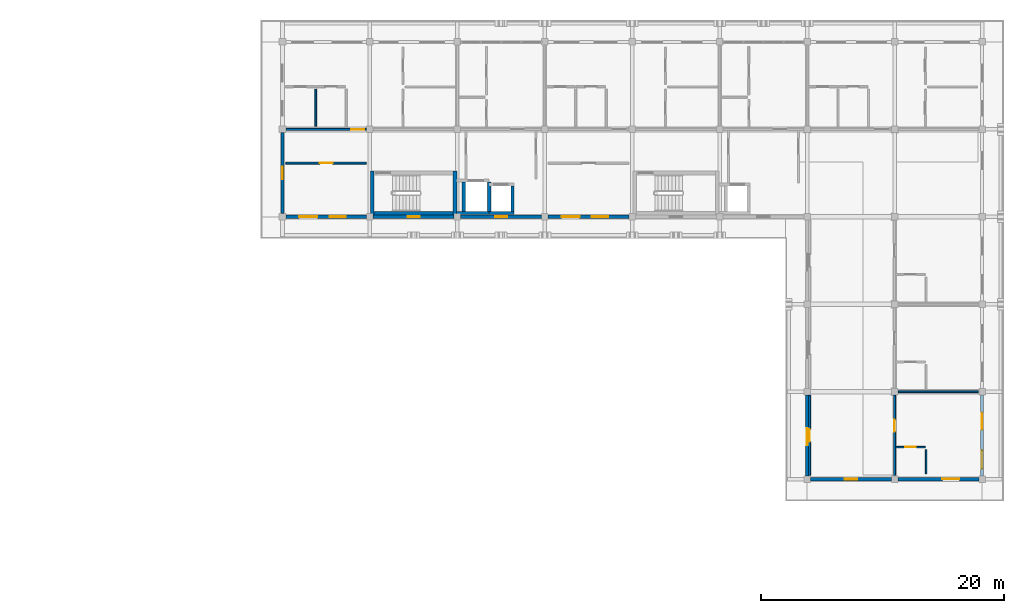
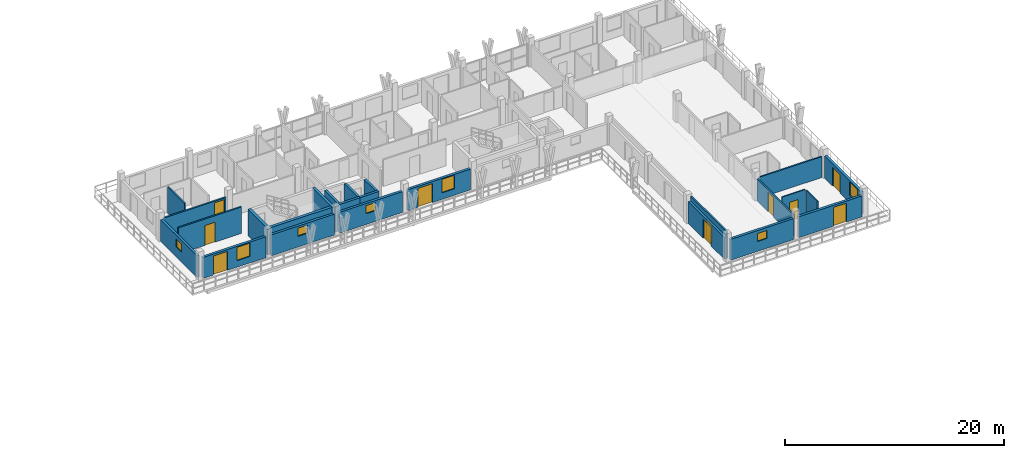
# One storey, part 48 of 65: 25 walls, 10 doors, 7 windows, 17 openings.
"""IFC4 building model written with IfcOpenShell, lengths in metres."""

from ifc_helpers import new_model, si_unit, direction, frame, frame_2d, origin, place, context, subcontext, project, spatial, rectangle, extrude, material, layer, layer_set, type_object, element, fill, save


model = new_model("IFC4")

# Units and contexts
model_context = context("Model", 3, precision=1e-05, world=origin(), true_north=direction((0.0, 1.0)))
body_context = subcontext(model_context, "Body", "Model", "MODEL_VIEW")
ifc_project = project(units=[si_unit("LENGTHUNIT", "METRE"), si_unit("AREAUNIT", "SQUARE_METRE"), si_unit("VOLUMEUNIT", "CUBIC_METRE"), si_unit("PLANEANGLEUNIT", "RADIAN"), si_unit("MASSUNIT", "GRAM", prefix="KILO")], contexts=[model_context])

# Site, building, storey
site_placement = place(None, origin())
site = spatial("IfcSite", under=ifc_project, at=site_placement, CompositionType="ELEMENT")
building_placement = place(site_placement, origin())
building = spatial("IfcBuilding", under=site, at=building_placement, Name="Suanplinth Sawtooth Commons", CompositionType="ELEMENT")
storey_placement = place(building_placement, frame((0.0, 0.0, 28.300048828125)))
storey = spatial("IfcBuildingStorey", under=building, at=storey_placement, Name="L08", CompositionType="ELEMENT", Elevation=28.300048828125)

# Walls
ifc_material_1 = material(Name="Concrete C40/50", Category="concrete")
ifc_layer_1 = layer(ifc_material_1, 0.300048828125, Name="Standard RC stair and lift core wall 300mm")
ifc_layer_set_1 = layer_set([ifc_layer_1], Name="Concrete C40/50")
wall_type_1 = type_object("IfcWallType", Name="W-CR02", PredefinedType="SHEAR", material=ifc_layer_set_1)
wall_1_placement = place(storey_placement, frame((137.14990234375, 108.300048828125, 0.0), z_axis=(0.0, 0.0, 1.0), x_axis=(1.0, 0.0, 0.0)))
element("IfcWall", 1, at=wall_1_placement, inside=storey, type_object=wall_type_1, Name="W-L08-C-B1-STS", PredefinedType="SHEAR", context=body_context, shape_type="SweptSolid", body=[
    extrude(rectangle(XDim=6.5, YDim=0.300048828125, at=frame_2d((3.25, 0.0))), origin(), (0.0, 0.0, 1.0), 2.949951171875),
])
for number, where, z_axis, x_axis, name in (
    (2, (137.0, 108.14990234375, 0.0), (0.0, 0.0, 1.0), (0.0, 1.0, 0.0), "W-L08-C-B1-STW"),
    (3, (143.800048828125, 108.14990234375, 0.0), (0.0, 0.0, 1.0), (0.0, 1.0, 0.0), "W-L08-C-B1-STE"),
):
    element("IfcWall", number, at=place(storey_placement, frame(where, z_axis=z_axis, x_axis=x_axis)), inside=storey, type_object=wall_type_1, Name=name, PredefinedType="SHEAR", context=body_context, shape_type="SweptSolid", body=[
        extrude(rectangle(XDim=3.60009765625, YDim=0.300048828125, at=frame_2d((1.800048828125, 0.0))), origin(), (0.0, 0.0, 1.0), 2.949951171875),
    ])

# Wall, openings, door, window
ifc_material_2 = material(Name="Precast concrete C40/50", Category="concrete")
ifc_layer_2 = layer(ifc_material_2, 0.260009765625, Name="Insulated precast courtyard facade wall 260mm")
ifc_layer_set_2 = layer_set([ifc_layer_2], Name="Precast concrete C40/50")
wall_type_2 = type_object("IfcWallType", Name="W-EX02", PredefinedType="ELEMENTEDWALL", material=ifc_layer_set_2)
wall_2_placement = place(storey_placement, frame((129.875, 108.0, 0.0), z_axis=(0.0, 0.0, 1.0), x_axis=(1.0, 0.0, 0.0)))
wall_2 = element("IfcWall", 4, at=wall_2_placement, inside=storey, type_object=wall_type_2, Name="Facade Wall W-L08-B-S-18-15", PredefinedType="ELEMENTEDWALL", context=body_context, shape_type="SweptSolid", body=[
    extrude(rectangle(XDim=6.64990234375, YDim=0.260009765625, at=frame_2d((3.324951171875, 0.0))), origin(), (0.0, 0.0, 1.0), 2.3349609375),
])
opening_1_placement = place(wall_2_placement, frame((1.10009765625, 0.0, 0.0)))
opening_1 = element("IfcOpeningElement", 5, at=opening_1_placement, cuts=wall_2, Name="Opening ED0642", PredefinedType="OPENING", context=body_context, shape_type="SweptSolid", body=[
    extrude(rectangle(XDim=1.5, YDim=2.1201171875, at=frame_2d((0.75, 1.06005859375))), frame((0.0, 0.14501953125, 0.0), z_axis=(0.0, -1.0, 0.0), x_axis=(1.0, 0.0, 0.0)), (0.0, 0.0, 1.0), 0.289794921875),
])
opening_2_placement = place(wall_2_placement, frame((3.60009765625, 0.0, 0.72509765625)))
opening_2 = element("IfcOpeningElement", 6, at=opening_2_placement, cuts=wall_2, Name="Opening W0721", PredefinedType="OPENING", context=body_context, shape_type="SweptSolid", body=[
    extrude(rectangle(XDim=1.35009765625, YDim=1.5, at=frame_2d((0.675048828125, 0.75))), frame((0.0, 0.14501953125, 0.0), z_axis=(0.0, -1.0, 0.0), x_axis=(1.0, 0.0, 0.0)), (0.0, 0.0, 1.0), 0.289794921875),
])
ifc_material_3 = material(Name="Anodized aluminium and low-E glass", Category="aluminium")
door_type_1 = type_object("IfcDoorType", Name="SD-03", OperationType="SLIDING_TO_LEFT", PredefinedType="DOOR", material=ifc_material_3)
door_1_placement = place(opening_1_placement, frame((1.5, 0.0, 0.0), z_axis=(0.0, 0.0, 1.0), x_axis=(-1.0, 0.0, 0.0)))
door_1 = element("IfcDoor", 7, at=door_1_placement, inside=storey, type_object=door_type_1, Name="Courtyard Balcony Door L08-B-18", OperationType="SLIDING_TO_LEFT", OverallHeight=2.1201171875, OverallWidth=1.5, PredefinedType="DOOR", context=body_context, shape_type="SweptSolid", body=[
    extrude(rectangle(XDim=1.5, YDim=2.1201171875, at=frame_2d((0.75, 1.06005859375))), frame((0.0, 0.02490234375, 0.0), z_axis=(0.0, -1.0, 0.0), x_axis=(1.0, 0.0, 0.0)), (0.0, 0.0, 1.0), 0.050048828125),
])
fill(opening_1, door_1)
ifc_material_4 = material(Name="Thermally broken aluminium and low-E double glazing", Category="aluminium")
window_type_1 = type_object("IfcWindowType", Name="WN-14", PartitioningType="SINGLE_PANEL", PredefinedType="WINDOW", material=ifc_material_4)
window_1_placement = place(opening_2_placement, origin())
window_1 = element("IfcWindow", 8, at=window_1_placement, inside=storey, type_object=window_type_1, Name="Courtyard Window L08-B-18", OverallHeight=1.5, OverallWidth=1.35009765625, PartitioningType="SINGLE_PANEL", PredefinedType="WINDOW", context=body_context, shape_type="SweptSolid", body=[
    extrude(rectangle(XDim=1.35009765625, YDim=1.5, at=frame_2d((0.675048828125, 0.75))), frame((0.0, 0.030029296875, 0.0), z_axis=(0.0, -1.0, 0.0), x_axis=(1.0, 0.0, 0.0)), (0.0, 0.0, 1.0), 0.06005859375),
])
fill(opening_2, window_1)

# Wall, opening, window
wall_3_placement = place(storey_placement, frame((129.60009765625, 108.27490234375, 0.0), z_axis=(0.0, 0.0, 1.0), x_axis=(0.0, 1.0, 0.0)))
wall_3 = element("IfcWall", 9, at=wall_3_placement, inside=storey, type_object=wall_type_2, Name="Facade Wall W-L08-B-W-18-15", PredefinedType="ELEMENTEDWALL", context=body_context, shape_type="SweptSolid", body=[
    extrude(rectangle(XDim=6.650146484375, YDim=0.260009765625, at=frame_2d((3.3251953125, 0.0))), origin(), (0.0, 0.0, 1.0), 2.43505859375),
])
opening_3_placement = place(wall_3_placement, frame((2.824951171875, 0.0, 1.10009765625)))
opening_3 = element("IfcOpeningElement", 10, at=opening_3_placement, cuts=wall_3, Name="Opening W0722", PredefinedType="OPENING", context=body_context, shape_type="SweptSolid", body=[
    extrude(rectangle(XDim=1.0, YDim=0.89990234375, at=frame_2d((0.5, 0.449951171875))), frame((0.0, 0.14501953125, 0.0), z_axis=(0.0, -1.0, 0.0), x_axis=(1.0, 0.0, 0.0)), (0.0, 0.0, 1.0), 0.289794921875),
])
window_type_2 = type_object("IfcWindowType", Name="WN-12", PartitioningType="SINGLE_PANEL", PredefinedType="WINDOW", material=ifc_material_4)
window_2_placement = place(opening_3_placement, origin())
window_2 = element("IfcWindow", 11, at=window_2_placement, inside=storey, type_object=window_type_2, Name="End Window L08-B-W-18-15", OverallHeight=0.89990234375, OverallWidth=1.0, PartitioningType="SINGLE_PANEL", PredefinedType="WINDOW", context=body_context, shape_type="SweptSolid", body=[
    extrude(rectangle(XDim=1.0, YDim=0.89990234375, at=frame_2d((0.5, 0.449951171875))), frame((0.0, 0.030029296875, 0.0), z_axis=(0.0, -1.0, 0.0), x_axis=(1.0, 0.0, 0.0)), (0.0, 0.0, 1.0), 0.06005859375),
])
fill(opening_3, window_2)

wall_4_placement = place(storey_placement, frame((137.074951171875, 108.0, 0.0), z_axis=(0.0, 0.0, 1.0), x_axis=(1.0, 0.0, 0.0)))
wall_4 = element("IfcWall", 12, at=wall_4_placement, inside=storey, type_object=wall_type_2, Name="Facade Wall W-L08-B-S-19-15", PredefinedType="ELEMENTEDWALL", context=body_context, shape_type="SweptSolid", body=[
    extrude(rectangle(XDim=6.650146484375, YDim=0.260009765625, at=frame_2d((3.3251953125, 0.0))), origin(), (0.0, 0.0, 1.0), 2.3349609375),
])
opening_4_placement = place(wall_4_placement, frame((2.824951171875, 0.0, 1.199951171875)))
opening_4 = element("IfcOpeningElement", 13, at=opening_4_placement, cuts=wall_4, Name="Opening W0725", PredefinedType="OPENING", context=body_context, shape_type="SweptSolid", body=[
    extrude(rectangle(XDim=1.0, YDim=0.89990234375, at=frame_2d((0.5, 0.449951171875))), frame((0.0, 0.14501953125, 0.0), z_axis=(0.0, -1.0, 0.0), x_axis=(1.0, 0.0, 0.0)), (0.0, 0.0, 1.0), 0.289794921875),
])
window_3_placement = place(opening_4_placement, origin())
window_3 = element("IfcWindow", 14, at=window_3_placement, inside=storey, type_object=window_type_2, Name="Core Daylight Window L08-B-19-15", OverallHeight=0.89990234375, OverallWidth=1.0, PartitioningType="SINGLE_PANEL", PredefinedType="WINDOW", context=body_context, shape_type="SweptSolid", body=[
    extrude(rectangle(XDim=1.0, YDim=0.89990234375, at=frame_2d((0.5, 0.449951171875))), frame((0.0, 0.030029296875, 0.0), z_axis=(0.0, -1.0, 0.0), x_axis=(1.0, 0.0, 0.0)), (0.0, 0.0, 1.0), 0.06005859375),
])
fill(opening_4, window_3)

wall_5_placement = place(storey_placement, frame((144.27490234375, 108.0, 0.0), z_axis=(0.0, 0.0, 1.0), x_axis=(1.0, 0.0, 0.0)))
wall_5 = element("IfcWall", 15, at=wall_5_placement, inside=storey, type_object=wall_type_2, Name="Facade Wall W-L08-B-S-20-15", PredefinedType="ELEMENTEDWALL", context=body_context, shape_type="SweptSolid", body=[
    extrude(rectangle(XDim=6.650146484375, YDim=0.260009765625, at=frame_2d((3.3251953125, 0.0))), origin(), (0.0, 0.0, 1.0), 2.3349609375),
])
opening_5_placement = place(wall_5_placement, frame((2.824951171875, 0.0, 1.199951171875)))
opening_5 = element("IfcOpeningElement", 16, at=opening_5_placement, cuts=wall_5, Name="Opening W0727", PredefinedType="OPENING", context=body_context, shape_type="SweptSolid", body=[
    extrude(rectangle(XDim=1.0, YDim=0.89990234375, at=frame_2d((0.5, 0.449951171875))), frame((0.0, 0.14501953125, 0.0), z_axis=(0.0, -1.0, 0.0), x_axis=(1.0, 0.0, 0.0)), (0.0, 0.0, 1.0), 0.289794921875),
])
window_4_placement = place(opening_5_placement, origin())
window_4 = element("IfcWindow", 17, at=window_4_placement, inside=storey, type_object=window_type_2, Name="Core Daylight Window L08-B-20-15", OverallHeight=0.89990234375, OverallWidth=1.0, PartitioningType="SINGLE_PANEL", PredefinedType="WINDOW", context=body_context, shape_type="SweptSolid", body=[
    extrude(rectangle(XDim=1.0, YDim=0.89990234375, at=frame_2d((0.5, 0.449951171875))), frame((0.0, 0.030029296875, 0.0), z_axis=(0.0, -1.0, 0.0), x_axis=(1.0, 0.0, 0.0)), (0.0, 0.0, 1.0), 0.06005859375),
])
fill(opening_5, window_4)

# Wall, openings, door, window
wall_6_placement = place(storey_placement, frame((151.47509765625, 108.0, 0.0), z_axis=(0.0, 0.0, 1.0), x_axis=(1.0, 0.0, 0.0)))
wall_6 = element("IfcWall", 18, at=wall_6_placement, inside=storey, type_object=wall_type_2, Name="Facade Wall W-L08-B-S-21-15", PredefinedType="ELEMENTEDWALL", context=body_context, shape_type="SweptSolid", body=[
    extrude(rectangle(XDim=6.64990234375, YDim=0.260009765625, at=frame_2d((3.324951171875, 0.0))), origin(), (0.0, 0.0, 1.0), 2.3349609375),
])
opening_6_placement = place(wall_6_placement, frame((1.10009765625, 0.0, 0.0)))
opening_6 = element("IfcOpeningElement", 19, at=opening_6_placement, cuts=wall_6, Name="Opening ED0646", PredefinedType="OPENING", context=body_context, shape_type="SweptSolid", body=[
    extrude(rectangle(XDim=1.5, YDim=2.1201171875, at=frame_2d((0.75, 1.06005859375))), frame((0.0, 0.14501953125, 0.0), z_axis=(0.0, -1.0, 0.0), x_axis=(1.0, 0.0, 0.0)), (0.0, 0.0, 1.0), 0.289794921875),
])
opening_7_placement = place(wall_6_placement, frame((3.60009765625, 0.0, 0.72509765625)))
opening_7 = element("IfcOpeningElement", 20, at=opening_7_placement, cuts=wall_6, Name="Opening W0728", PredefinedType="OPENING", context=body_context, shape_type="SweptSolid", body=[
    extrude(rectangle(XDim=1.35009765625, YDim=1.5, at=frame_2d((0.675048828125, 0.75))), frame((0.0, 0.14501953125, 0.0), z_axis=(0.0, -1.0, 0.0), x_axis=(1.0, 0.0, 0.0)), (0.0, 0.0, 1.0), 0.289794921875),
])
door_2_placement = place(opening_6_placement, frame((1.5, 0.0, 0.0), z_axis=(0.0, 0.0, 1.0), x_axis=(-1.0, 0.0, 0.0)))
door_2 = element("IfcDoor", 21, at=door_2_placement, inside=storey, type_object=door_type_1, Name="Courtyard Balcony Door L08-B-21", OperationType="SLIDING_TO_LEFT", OverallHeight=2.1201171875, OverallWidth=1.5, PredefinedType="DOOR", context=body_context, shape_type="SweptSolid", body=[
    extrude(rectangle(XDim=1.5, YDim=2.1201171875, at=frame_2d((0.75, 1.06005859375))), frame((0.0, 0.02490234375, 0.0), z_axis=(0.0, -1.0, 0.0), x_axis=(1.0, 0.0, 0.0)), (0.0, 0.0, 1.0), 0.050048828125),
])
fill(opening_6, door_2)
window_5_placement = place(opening_7_placement, origin())
window_5 = element("IfcWindow", 22, at=window_5_placement, inside=storey, type_object=window_type_1, Name="Courtyard Window L08-B-21", OverallHeight=1.5, OverallWidth=1.35009765625, PartitioningType="SINGLE_PANEL", PredefinedType="WINDOW", context=body_context, shape_type="SweptSolid", body=[
    extrude(rectangle(XDim=1.35009765625, YDim=1.5, at=frame_2d((0.675048828125, 0.75))), frame((0.0, 0.030029296875, 0.0), z_axis=(0.0, -1.0, 0.0), x_axis=(1.0, 0.0, 0.0)), (0.0, 0.0, 1.0), 0.06005859375),
])
fill(opening_7, window_5)

# Wall, opening, window
wall_7_placement = place(storey_placement, frame((173.074951171875, 86.39990234375, 0.0), z_axis=(0.0, 0.0, 1.0), x_axis=(1.0, 0.0, 0.0)))
wall_7 = element("IfcWall", 23, at=wall_7_placement, inside=storey, type_object=wall_type_2, Name="Facade Wall W-L08-B-S-24-12", PredefinedType="ELEMENTEDWALL", context=body_context, shape_type="SweptSolid", body=[
    extrude(rectangle(XDim=6.650146484375, YDim=0.260009765625, at=frame_2d((3.3251953125, 0.0))), origin(), (0.0, 0.0, 1.0), 2.3349609375),
])
opening_8_placement = place(wall_7_placement, frame((2.824951171875, 0.0, 1.10009765625)))
opening_8 = element("IfcOpeningElement", 24, at=opening_8_placement, cuts=wall_7, Name="Opening W0733", PredefinedType="OPENING", context=body_context, shape_type="SweptSolid", body=[
    extrude(rectangle(XDim=1.0, YDim=0.89990234375, at=frame_2d((0.5, 0.449951171875))), frame((0.0, 0.14501953125, 0.0), z_axis=(0.0, -1.0, 0.0), x_axis=(1.0, 0.0, 0.0)), (0.0, 0.0, 1.0), 0.289794921875),
])
window_6_placement = place(opening_8_placement, origin())
window_6 = element("IfcWindow", 25, at=window_6_placement, inside=storey, type_object=window_type_2, Name="End Window L08-B-S-24-12", OverallHeight=0.89990234375, OverallWidth=1.0, PartitioningType="SINGLE_PANEL", PredefinedType="WINDOW", context=body_context, shape_type="SweptSolid", body=[
    extrude(rectangle(XDim=1.0, YDim=0.89990234375, at=frame_2d((0.5, 0.449951171875))), frame((0.0, 0.030029296875, 0.0), z_axis=(0.0, -1.0, 0.0), x_axis=(1.0, 0.0, 0.0)), (0.0, 0.0, 1.0), 0.06005859375),
])
fill(opening_8, window_6)

# Wall, opening, door
wall_8_placement = place(storey_placement, frame((172.800048828125, 86.675048828125, 0.0), z_axis=(0.0, 0.0, 1.0), x_axis=(0.0, 1.0, 0.0)))
wall_8 = element("IfcWall", 26, at=wall_8_placement, inside=storey, type_object=wall_type_2, Name="Facade Wall W-L08-B-W-24-12", PredefinedType="ELEMENTEDWALL", context=body_context, shape_type="SweptSolid", body=[
    extrude(rectangle(XDim=6.64990234375, YDim=0.260009765625, at=frame_2d((3.324951171875, 0.0))), origin(), (0.0, 0.0, 1.0), 2.43505859375),
])
opening_9_placement = place(wall_8_placement, frame((2.5, 0.0, 0.0)))
opening_9 = element("IfcOpeningElement", 27, at=opening_9_placement, cuts=wall_8, Name="Opening ED0649", PredefinedType="OPENING", context=body_context, shape_type="SweptSolid", body=[
    extrude(rectangle(XDim=1.39990234375, YDim=2.10009765625, at=frame_2d((0.699951171875, 1.050048828125))), frame((0.0, 0.14501953125, 0.0), z_axis=(0.0, -1.0, 0.0), x_axis=(1.0, 0.0, 0.0)), (0.0, 0.0, 1.0), 0.289794921875),
])
door_type_2 = type_object("IfcDoorType", Name="SD-07", OperationType="SLIDING_TO_RIGHT", PredefinedType="DOOR", material=ifc_material_3)
door_3_placement = place(opening_9_placement, frame((1.39990234375, 0.0, 0.0), z_axis=(0.0, 0.0, 1.0), x_axis=(-1.0, 0.0, 0.0)))
door_3 = element("IfcDoor", 28, at=door_3_placement, inside=storey, type_object=door_type_2, Name="Courtyard Veranda Studio Balcony Door L08-B-12", OperationType="SLIDING_TO_RIGHT", OverallHeight=2.10009765625, OverallWidth=1.39990234375, PredefinedType="DOOR", context=body_context, shape_type="SweptSolid", body=[
    extrude(rectangle(XDim=1.39990234375, YDim=2.10009765625, at=frame_2d((0.699951171875, 1.050048828125))), frame((0.0, 0.02490234375, 0.0), z_axis=(0.0, -1.0, 0.0), x_axis=(1.0, 0.0, 0.0)), (0.0, 0.0, 1.0), 0.050048828125),
])
fill(opening_9, door_3)

wall_9_placement = place(storey_placement, frame((180.27490234375, 86.39990234375, 0.0), z_axis=(0.0, 0.0, 1.0), x_axis=(1.0, 0.0, 0.0)))
wall_9 = element("IfcWall", 29, at=wall_9_placement, inside=storey, type_object=wall_type_2, Name="Facade Wall W-L08-B-S-25-12", PredefinedType="ELEMENTEDWALL", context=body_context, shape_type="SweptSolid", body=[
    extrude(rectangle(XDim=6.650146484375, YDim=0.260009765625, at=frame_2d((3.3251953125, 0.0))), origin(), (0.0, 0.0, 1.0), 2.3349609375),
])
opening_10_placement = place(wall_9_placement, frame((3.64990234375, 0.0, 0.0)))
opening_10 = element("IfcOpeningElement", 30, at=opening_10_placement, cuts=wall_9, Name="Opening ED0653", PredefinedType="OPENING", context=body_context, shape_type="SweptSolid", body=[
    extrude(rectangle(XDim=1.39990234375, YDim=2.10009765625, at=frame_2d((0.699951171875, 1.050048828125))), frame((0.0, 0.14501953125, 0.0), z_axis=(0.0, -1.0, 0.0), x_axis=(1.0, 0.0, 0.0)), (0.0, 0.0, 1.0), 0.289794921875),
])
door_4_placement = place(opening_10_placement, frame((1.39990234375, 0.0, 0.0), z_axis=(0.0, 0.0, 1.0), x_axis=(-1.0, 0.0, 0.0)))
door_4 = element("IfcDoor", 31, at=door_4_placement, inside=storey, type_object=door_type_2, Name="End Balcony Sliding Door L08-B-S-25-12", OperationType="SLIDING_TO_RIGHT", OverallHeight=2.10009765625, OverallWidth=1.39990234375, PredefinedType="DOOR", context=body_context, shape_type="SweptSolid", body=[
    extrude(rectangle(XDim=1.39990234375, YDim=2.10009765625, at=frame_2d((0.699951171875, 1.050048828125))), frame((0.0, 0.02490234375, 0.0), z_axis=(0.0, -1.0, 0.0), x_axis=(1.0, 0.0, 0.0)), (0.0, 0.0, 1.0), 0.050048828125),
])
fill(opening_10, door_4)

# Wall, openings, door, window
wall_10_placement = place(storey_placement, frame((187.199951171875, 86.675048828125, 0.0), z_axis=(0.0, 0.0, 1.0), x_axis=(0.0, 1.0, 0.0)))
wall_10 = element("IfcWall", 32, at=wall_10_placement, inside=storey, type_object=wall_type_2, Name="Facade Wall W-L08-B-E-25-12", PredefinedType="ELEMENTEDWALL", context=body_context, shape_type="SweptSolid", body=[
    extrude(rectangle(XDim=6.64990234375, YDim=0.260009765625, at=frame_2d((3.324951171875, 0.0))), origin(), (0.0, 0.0, 1.0), 2.48486328125),
])
opening_11_placement = place(wall_10_placement, frame((3.800048828125, 0.0, 0.0)))
opening_11 = element("IfcOpeningElement", 33, at=opening_11_placement, cuts=wall_10, Name="Opening ED0654", PredefinedType="OPENING", context=body_context, shape_type="SweptSolid", body=[
    extrude(rectangle(XDim=1.39990234375, YDim=2.10009765625, at=frame_2d((0.699951171875, 1.050048828125))), frame((0.0, 0.14501953125, 0.0), z_axis=(0.0, -1.0, 0.0), x_axis=(1.0, 0.0, 0.0)), (0.0, 0.0, 1.0), 0.289794921875),
])
opening_12_placement = place(wall_10_placement, frame((0.60009765625, 0.0, 0.875)))
opening_12 = element("IfcOpeningElement", 34, at=opening_12_placement, cuts=wall_10, Name="Opening W0735", PredefinedType="OPENING", context=body_context, shape_type="SweptSolid", body=[
    extrude(rectangle(XDim=1.5, YDim=1.5, at=frame_2d((0.75, 0.75))), frame((0.0, 0.14501953125, 0.0), z_axis=(0.0, -1.0, 0.0), x_axis=(1.0, 0.0, 0.0)), (0.0, 0.0, 1.0), 0.289794921875),
])
door_5_placement = place(opening_11_placement, frame((1.39990234375, 0.0, 0.0), z_axis=(0.0, 0.0, 1.0), x_axis=(-1.0, 0.0, 0.0)))
door_5 = element("IfcDoor", 35, at=door_5_placement, inside=storey, type_object=door_type_2, Name="Wing Balcony Sliding Door L08-B-12", OperationType="SLIDING_TO_RIGHT", OverallHeight=2.10009765625, OverallWidth=1.39990234375, PredefinedType="DOOR", context=body_context, shape_type="SweptSolid", body=[
    extrude(rectangle(XDim=1.39990234375, YDim=2.10009765625, at=frame_2d((0.699951171875, 1.050048828125))), frame((0.0, 0.02490234375, 0.0), z_axis=(0.0, -1.0, 0.0), x_axis=(1.0, 0.0, 0.0)), (0.0, 0.0, 1.0), 0.050048828125),
])
fill(opening_11, door_5)
window_type_3 = type_object("IfcWindowType", Name="WN-02", PartitioningType="DOUBLE_PANEL_VERTICAL", PredefinedType="WINDOW", material=ifc_material_4)
window_7_placement = place(opening_12_placement, origin())
window_7 = element("IfcWindow", 36, at=window_7_placement, inside=storey, type_object=window_type_3, Name="Wing Window L08-B-12", OverallHeight=1.5, OverallWidth=1.5, PartitioningType="DOUBLE_PANEL_VERTICAL", PredefinedType="WINDOW", context=body_context, shape_type="SweptSolid", body=[
    extrude(rectangle(XDim=1.5, YDim=1.5, at=frame_2d((0.75, 0.75))), frame((0.0, 0.030029296875, 0.0), z_axis=(0.0, -1.0, 0.0), x_axis=(1.0, 0.0, 0.0)), (0.0, 0.0, 1.0), 0.06005859375),
])
fill(opening_12, window_7)

# Wall, opening, door
ifc_layer_3 = layer(ifc_material_2, 0.159912109375, Name="Fire-rated corridor and lobby wall 160mm")
ifc_layer_set_3 = layer_set([ifc_layer_3], Name="Precast concrete C40/50")
wall_type_3 = type_object("IfcWallType", Name="W-FW01", PredefinedType="PARTITIONING", material=ifc_layer_set_3)
wall_11_placement = place(storey_placement, frame((129.905029296875, 115.199951171875, 0.0), z_axis=(0.0, 0.0, 1.0), x_axis=(1.0, 0.0, 0.0)))
wall_11 = element("IfcWall", 37, at=wall_11_placement, inside=storey, type_object=wall_type_3, Name="W-B-L08-U01-COR-S1", PredefinedType="PARTITIONING", context=body_context, shape_type="SweptSolid", body=[
    extrude(rectangle(XDim=6.590087890625, YDim=0.159912109375, at=frame_2d((3.294921875, 0.0))), origin(), (0.0, 0.0, 1.0), 2.3349609375),
])
opening_13_placement = place(wall_11_placement, frame((5.360107421875, 0.0, 0.0)))
opening_13 = element("IfcOpeningElement", 38, at=opening_13_placement, cuts=wall_11, Name="Opening FD1669", PredefinedType="OPENING", context=body_context, shape_type="SweptSolid", body=[
    extrude(rectangle(XDim=1.050048828125, YDim=2.14990234375, at=frame_2d((0.52490234375, 1.074951171875))), frame((0.0, 0.0947265625, 0.0), z_axis=(0.0, -1.0, 0.0), x_axis=(1.0, 0.0, 0.0)), (0.0, 0.0, 1.0), 0.189697265625),
])
ifc_material_5 = material(Name="Teak hardwood fire-rated door assembly", Category="wood")
door_type_3 = type_object("IfcDoorType", Name="FD-04", OperationType="NOTDEFINED", PredefinedType="DOOR", material=ifc_material_5)
door_6_placement = place(opening_13_placement, origin())
door_6 = element("IfcDoor", 39, at=door_6_placement, inside=storey, type_object=door_type_3, Name="Unit Entrance Door FD1669", OperationType="SINGLE_SWING_LEFT", OverallHeight=2.14990234375, OverallWidth=1.050048828125, PredefinedType="DOOR", context=body_context, shape_type="SweptSolid", body=[
    extrude(rectangle(XDim=1.050048828125, YDim=2.14990234375, at=frame_2d((0.52490234375, 1.074951171875))), frame((0.0, 0.02490234375, 0.0), z_axis=(0.0, -1.0, 0.0), x_axis=(1.0, 0.0, 0.0)), (0.0, 0.0, 1.0), 0.050048828125),
])
fill(opening_13, door_6)

wall_12_placement = place(storey_placement, frame((129.8798828125, 112.419921875, 0.0), z_axis=(0.0, 0.0, 1.0), x_axis=(1.0, 0.0, 0.0)))
wall_12 = element("IfcWall", 40, at=wall_12_placement, inside=storey, type_object=wall_type_3, Name="W-B-L08-COURTROOM-22-COR", PredefinedType="PARTITIONING", context=body_context, shape_type="SweptSolid", body=[
    extrude(rectangle(XDim=6.64013671875, YDim=0.159912109375, at=frame_2d((3.320068359375, 0.0))), origin(), (0.0, 0.0, 1.0), 2.949951171875),
])
opening_14_placement = place(wall_12_placement, frame((2.780029296875, 0.0, 0.0)))
opening_14 = element("IfcOpeningElement", 41, at=opening_14_placement, cuts=wall_12, Name="Opening D1690", PredefinedType="OPENING", context=body_context, shape_type="SweptSolid", body=[
    extrude(rectangle(XDim=1.080078125, YDim=2.219970703125, at=frame_2d((0.5400390625, 1.10986328125))), frame((0.0, 0.0947265625, 0.0), z_axis=(0.0, -1.0, 0.0), x_axis=(1.0, 0.0, 0.0)), (0.0, 0.0, 1.0), 0.189697265625),
])
ifc_material_6 = material(Name="Teak hardwood", Category="wood")
door_type_4 = type_object("IfcDoorType", Name="D-17", OperationType="NOTDEFINED", PredefinedType="DOOR", material=ifc_material_6)
door_7_placement = place(opening_14_placement, frame((1.080078125, 0.0, 0.0), z_axis=(0.0, 0.0, 1.0), x_axis=(-1.0, 0.0, 0.0)))
door_7 = element("IfcDoor", 42, at=door_7_placement, inside=storey, type_object=door_type_4, Name="Study Studio Door D1690", OperationType="SINGLE_SWING_RIGHT", OverallHeight=2.219970703125, OverallWidth=1.080078125, PredefinedType="DOOR", context=body_context, shape_type="SweptSolid", body=[
    extrude(rectangle(XDim=1.080078125, YDim=2.219970703125, at=frame_2d((0.5400390625, 1.10986328125))), frame((0.0, 0.02490234375, 0.0), z_axis=(0.0, -1.0, 0.0), x_axis=(1.0, 0.0, 0.0)), (0.0, 0.0, 1.0), 0.050048828125),
])
fill(opening_14, door_7)

wall_13_placement = place(storey_placement, frame((180.0, 86.705078125, 0.0), z_axis=(0.0, 0.0, 1.0), x_axis=(0.0, 1.0, 0.0)))
wall_13 = element("IfcWall", 43, at=wall_13_placement, inside=storey, type_object=wall_type_3, Name="W-B-L08-L01-COR", PredefinedType="PARTITIONING", context=body_context, shape_type="SweptSolid", body=[
    extrude(rectangle(XDim=6.58984375, YDim=0.159912109375, at=frame_2d((3.294921875, 0.0))), origin(), (0.0, 0.0, 1.0), 2.43505859375),
])
opening_15_placement = place(wall_13_placement, frame((3.594970703125, 0.0, 0.0)))
opening_15 = element("IfcOpeningElement", 44, at=opening_15_placement, cuts=wall_13, Name="Opening FD1692", PredefinedType="OPENING", context=body_context, shape_type="SweptSolid", body=[
    extrude(rectangle(XDim=1.0, YDim=2.14990234375, at=frame_2d((0.5, 1.074951171875))), frame((0.0, 0.0947265625, 0.0), z_axis=(0.0, -1.0, 0.0), x_axis=(1.0, 0.0, 0.0)), (0.0, 0.0, 1.0), 0.189697265625),
])
door_type_5 = type_object("IfcDoorType", Name="FD-03", OperationType="NOTDEFINED", PredefinedType="DOOR", material=ifc_material_5)
door_8_placement = place(opening_15_placement, frame((1.0, 0.0, 0.0), z_axis=(0.0, 0.0, 1.0), x_axis=(-1.0, 0.0, 0.0)))
door_8 = element("IfcDoor", 45, at=door_8_placement, inside=storey, type_object=door_type_5, Name="Wing Unit Entrance Door FD1692", OperationType="SINGLE_SWING_RIGHT", OverallHeight=2.14990234375, OverallWidth=1.0, PredefinedType="DOOR", context=body_context, shape_type="SweptSolid", body=[
    extrude(rectangle(XDim=1.0, YDim=2.14990234375, at=frame_2d((0.5, 1.074951171875))), frame((0.0, 0.02490234375, 0.0), z_axis=(0.0, -1.0, 0.0), x_axis=(1.0, 0.0, 0.0)), (0.0, 0.0, 1.0), 0.050048828125),
])
fill(opening_15, door_8)

wall_14_placement = place(storey_placement, frame((173.0, 86.705078125, 0.0), z_axis=(0.0, 0.0, 1.0), x_axis=(0.0, 1.0, 0.0)))
wall_14 = element("IfcWall", 46, at=wall_14_placement, inside=storey, type_object=wall_type_3, Name="W-B-L08-LEGCOURTROOM-25-COR", PredefinedType="PARTITIONING", context=body_context, shape_type="SweptSolid", body=[
    extrude(rectangle(XDim=6.58984375, YDim=0.159912109375, at=frame_2d((3.294921875, 0.0))), origin(), (0.0, 0.0, 1.0), 2.949951171875),
])
opening_16_placement = place(wall_14_placement, frame((2.784912109375, 0.0, 0.0)))
opening_16 = element("IfcOpeningElement", 47, at=opening_16_placement, cuts=wall_14, Name="Opening D1694", PredefinedType="OPENING", context=body_context, shape_type="SweptSolid", body=[
    extrude(rectangle(XDim=1.02001953125, YDim=2.179931640625, at=frame_2d((0.510009765625, 1.08984375))), frame((0.0, 0.0947265625, 0.0), z_axis=(0.0, -1.0, 0.0), x_axis=(1.0, 0.0, 0.0)), (0.0, 0.0, 1.0), 0.189697265625),
])
door_type_6 = type_object("IfcDoorType", Name="D-16", OperationType="NOTDEFINED", PredefinedType="DOOR", material=ifc_material_6)
door_9_placement = place(opening_16_placement, origin())
door_9 = element("IfcDoor", 48, at=door_9_placement, inside=storey, type_object=door_type_6, Name="Veranda Studio Door D1694", OperationType="SINGLE_SWING_RIGHT", OverallHeight=2.179931640625, OverallWidth=1.02001953125, PredefinedType="DOOR", context=body_context, shape_type="SweptSolid", body=[
    extrude(rectangle(XDim=1.02001953125, YDim=2.179931640625, at=frame_2d((0.510009765625, 1.08984375))), frame((0.0, 0.02490234375, 0.0), z_axis=(0.0, -1.0, 0.0), x_axis=(1.0, 0.0, 0.0)), (0.0, 0.0, 1.0), 0.050048828125),
])
fill(opening_16, door_9)

# Walls
ifc_layer_4 = layer(ifc_material_2, 0.14990234375, Name="Acoustic precast party demising wall 150mm")
ifc_layer_set_4 = layer_set([ifc_layer_4], Name="Precast concrete C40/50")
wall_type_4 = type_object("IfcWallType", Name="W-FW02", PredefinedType="PARTITIONING", material=ifc_layer_set_4)
wall_15_placement = place(storey_placement, frame((180.304931640625, 93.60009765625, 0.0), z_axis=(0.0, 0.0, 1.0), x_axis=(1.0, 0.0, 0.0)))
element("IfcWall", 49, at=wall_15_placement, inside=storey, type_object=wall_type_4, Name="W-B-L08-L01-PTY", PredefinedType="PARTITIONING", context=body_context, shape_type="SweptSolid", body=[
    extrude(rectangle(XDim=6.590087890625, YDim=0.14990234375, at=frame_2d((3.294921875, 0.0))), origin(), (0.0, 0.0, 1.0), 2.3349609375),
])
ifc_material_7 = material(Name="Gypsum plasterboard on steel stud", Category="steel")
ifc_layer_5 = layer(ifc_material_7, 0.1298828125, Name="Moisture-resistant bathroom partition 130mm")
ifc_layer_set_5 = layer_set([ifc_layer_5], Name="Gypsum plasterboard on steel stud")
wall_type_5 = type_object("IfcWallType", Name="W-PT02", PredefinedType="PARTITIONING", material=ifc_layer_set_5)
wall_16_placement = place(storey_placement, frame((132.344970703125, 115.4599609375, 0.0), z_axis=(0.0, 0.0, 1.0), x_axis=(0.0, 1.0, 0.0)))
element("IfcWall", 50, at=wall_16_placement, inside=storey, type_object=wall_type_5, Name="W-B-L08-U01-BTH2", PredefinedType="PARTITIONING", context=body_context, shape_type="SweptSolid", body=[
    extrude(rectangle(XDim=3.0400390625, YDim=0.1298828125, at=frame_2d((1.52001953125, 0.0))), origin(), (0.0, 0.0, 1.0), 2.949951171875),
])

# Wall, opening, door
wall_17_placement = place(storey_placement, frame((180.080078125, 89.044921875, 0.0), z_axis=(0.0, 0.0, 1.0), x_axis=(1.0, 0.0, 0.0)))
wall_17 = element("IfcWall", 51, at=wall_17_placement, inside=storey, type_object=wall_type_5, Name="W-B-L08-L01-BTH1", PredefinedType="PARTITIONING", context=body_context, shape_type="SweptSolid", body=[
    extrude(rectangle(XDim=2.449951171875, YDim=0.1298828125, at=frame_2d((1.22509765625, 0.0))), origin(), (0.0, 0.0, 1.0), 2.949951171875),
])
opening_17_placement = place(wall_17_placement, frame((0.77490234375, 0.0, 0.0)))
opening_17 = element("IfcOpeningElement", 52, at=opening_17_placement, cuts=wall_17, Name="Opening D1693", PredefinedType="OPENING", context=body_context, shape_type="SweptSolid", body=[
    extrude(rectangle(XDim=0.89990234375, YDim=2.10009765625, at=frame_2d((0.449951171875, 1.050048828125))), frame((0.0, 0.079833984375, 0.0), z_axis=(0.0, -1.0, 0.0), x_axis=(1.0, 0.0, 0.0)), (0.0, 0.0, 1.0), 0.15966796875),
])
door_type_7 = type_object("IfcDoorType", Name="D-01", OperationType="NOTDEFINED", PredefinedType="DOOR", material=ifc_material_6)
door_10_placement = place(opening_17_placement, frame((0.89990234375, 0.0, 0.0), z_axis=(0.0, 0.0, 1.0), x_axis=(-1.0, 0.0, 0.0)))
door_10 = element("IfcDoor", 53, at=door_10_placement, inside=storey, type_object=door_type_7, Name="Bathroom Door D1693", OperationType="SINGLE_SWING_LEFT", OverallHeight=2.10009765625, OverallWidth=0.89990234375, PredefinedType="DOOR", context=body_context, shape_type="SweptSolid", body=[
    extrude(rectangle(XDim=0.89990234375, YDim=2.10009765625, at=frame_2d((0.449951171875, 1.050048828125))), frame((0.0, 0.02490234375, 0.0), z_axis=(0.0, -1.0, 0.0), x_axis=(1.0, 0.0, 0.0)), (0.0, 0.0, 1.0), 0.050048828125),
])
fill(opening_17, door_10)

# Walls
wall_18_placement = place(storey_placement, frame((182.594970703125, 86.830078125, 0.0), z_axis=(0.0, 0.0, 1.0), x_axis=(0.0, 1.0, 0.0)))
element("IfcWall", 54, at=wall_18_placement, inside=storey, type_object=wall_type_5, Name="W-B-L08-L01-BTH2", PredefinedType="PARTITIONING", context=body_context, shape_type="SweptSolid", body=[
    extrude(rectangle(XDim=2.0, YDim=0.1298828125, at=frame_2d((1.0, 0.0))), origin(), (0.0, 0.0, 1.0), 2.949951171875),
])
ifc_layer_6 = layer(ifc_material_2, 0.25, Name="Precast structural shear wall 250mm")
ifc_layer_set_6 = layer_set([ifc_layer_6], Name="Precast concrete C40/50")
wall_type_6 = type_object("IfcWallType", Name="W-SH01", PredefinedType="SHEAR", material=ifc_layer_set_6)
wall_19_placement = place(storey_placement, frame((143.949951171875, 108.324951171875, 0.0), z_axis=(0.0, 0.0, 1.0), x_axis=(1.0, 0.0, 0.0)))
element("IfcWall", 55, at=wall_19_placement, inside=storey, type_object=wall_type_6, Name="W-L08-FL2-S", PredefinedType="SHEAR", context=body_context, shape_type="SweptSolid", body=[
    extrude(rectangle(XDim=2.675048828125, YDim=0.25, at=frame_2d((1.33740234375, 0.0))), origin(), (0.0, 0.0, 1.0), 2.949951171875),
])
for number, where, z_axis, x_axis, name in (
    (56, (144.52490234375, 108.449951171875, 0.0), (0.0, 0.0, 1.0), (0.0, 1.0, 0.0), "W-L08-FL2-W"),
    (57, (146.625, 108.449951171875, 0.0), (0.0, 0.0, 1.0), (0.0, 1.0, 0.0), "W-L08-FL2-DIV"),
):
    element("IfcWall", number, at=place(storey_placement, frame(where, z_axis=z_axis, x_axis=x_axis)), inside=storey, type_object=wall_type_6, Name=name, PredefinedType="SHEAR", context=body_context, shape_type="SweptSolid", body=[
        extrude(rectangle(XDim=2.400146484375, YDim=0.25, at=frame_2d((1.2001953125, 0.0))), origin(), (0.0, 0.0, 1.0), 2.949951171875),
    ])
wall_20_placement = place(storey_placement, frame((146.625, 108.324951171875, 0.0), z_axis=(0.0, 0.0, 1.0), x_axis=(1.0, 0.0, 0.0)))
element("IfcWall", 58, at=wall_20_placement, inside=storey, type_object=wall_type_6, Name="W-L08-LF3-S", PredefinedType="SHEAR", context=body_context, shape_type="SweptSolid", body=[
    extrude(rectangle(XDim=2.02490234375, YDim=0.25, at=frame_2d((1.012451171875, 0.0))), origin(), (0.0, 0.0, 1.0), 2.949951171875),
])
wall_21_placement = place(storey_placement, frame((148.52490234375, 108.449951171875, 0.0), z_axis=(0.0, 0.0, 1.0), x_axis=(0.0, 1.0, 0.0)))
element("IfcWall", 59, at=wall_21_placement, inside=storey, type_object=wall_type_6, Name="W-L08-LF3-E", PredefinedType="SHEAR", context=body_context, shape_type="SweptSolid", body=[
    extrude(rectangle(XDim=2.10009765625, YDim=0.25, at=frame_2d((1.050048828125, 0.0))), origin(), (0.0, 0.0, 1.0), 2.949951171875),
])

save(model, "model.ifc")
